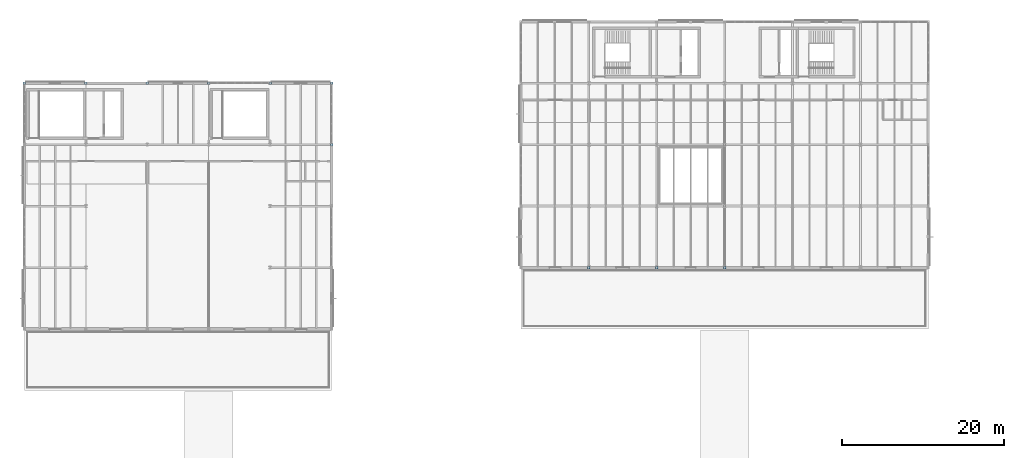
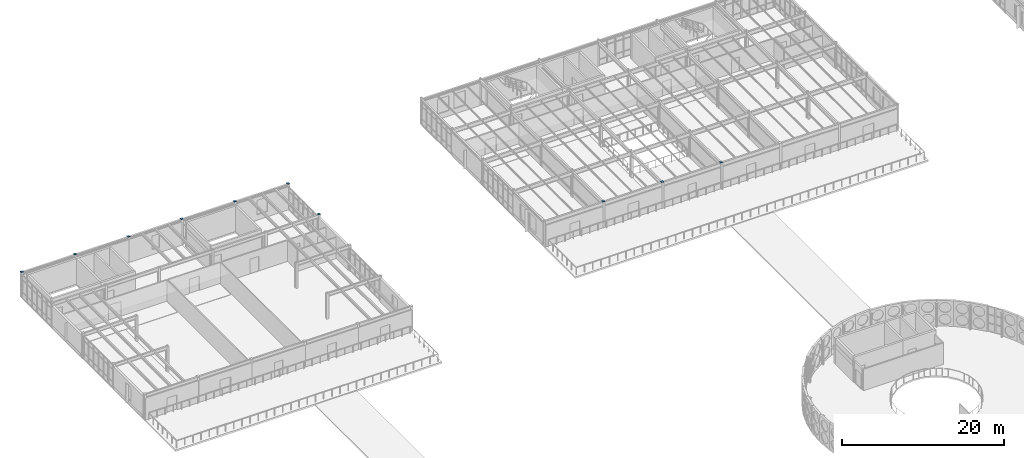
# One storey, part 81 of 114: 10 plates.
"""IFC4 building model written with IfcOpenShell, lengths in metres."""

from ifc_helpers import new_model, si_unit, direction, frame, origin, origin_2d, place, context, subcontext, project, spatial, rectangle, extrude, material, layer, layer_set, type_object, element, save


model = new_model("IFC4")

# Units and contexts
model_context = context("Model", 3, precision=1e-05, world=origin(), true_north=direction((0.0, 1.0)))
body_context = subcontext(model_context, "Body", "Model", "MODEL_VIEW")
ifc_project = project(units=[si_unit("LENGTHUNIT", "METRE"), si_unit("AREAUNIT", "SQUARE_METRE"), si_unit("VOLUMEUNIT", "CUBIC_METRE"), si_unit("PLANEANGLEUNIT", "RADIAN"), si_unit("MASSUNIT", "GRAM", prefix="KILO")], contexts=[model_context])

# Site, building, storey
site_placement = place(None, origin())
site = spatial("IfcSite", under=ifc_project, at=site_placement, CompositionType="ELEMENT")
building_placement = place(site_placement, origin())
building = spatial("IfcBuilding", under=site, at=building_placement, Name="Montecoro Central Library", CompositionType="ELEMENT")
storey_placement = place(building_placement, frame((0.0, 0.0, 13.260009765625)))
storey = spatial("IfcBuildingStorey", under=building, at=storey_placement, Name="L03", CompositionType="ELEMENT", Elevation=13.260009765625)

# Plates
ifc_material = material(Name="Steel S355", Category="steel")
ifc_layer = layer(ifc_material, 0.01611328125)
ifc_layer_set = layer_set([ifc_layer], Name="Steel S355")
plate_type = type_object("IfcPlateType", Name="PLT-CAP-16", PredefinedType="SHEET", material=ifc_layer_set)
for number, where, z_axis, x_axis, name in (
    (1, (74.800048828125, 88.60009765625, 3.885009765625), (0.0, 0.0, 1.0), (1.0, 0.0, 0.0), "V2-L03-CAPPL-10-M"),
    (2, (83.199951171875, 88.60009765625, 3.885009765625), (0.0, 0.0, 1.0), (1.0, 0.0, 0.0), "V2-L03-CAPPL-11-M"),
    (3, (91.60009765625, 88.60009765625, 3.885009765625), (0.0, 0.0, 1.0), (1.0, 0.0, 0.0), "V2-L03-CAPPL-12-M"),
    (4, (5.0, 111.39990234375, 3.869873046875), (0.0, 0.0, 1.0), (1.0, 0.0, 0.0), "V4-L03-CAPPL-1-Q"),
    (5, (12.60009765625, 111.39990234375, 3.869873046875), (0.0, 0.0, 1.0), (1.0, 0.0, 0.0), "V4-L03-CAPPL-2-Q"),
    (6, (20.199951171875, 111.39990234375, 3.869873046875), (0.0, 0.0, 1.0), (1.0, 0.0, 0.0), "V4-L03-CAPPL-3-Q"),
    (7, (27.800048828125, 111.39990234375, 3.869873046875), (0.0, 0.0, 1.0), (1.0, 0.0, 0.0), "V4-L03-CAPPL-4-Q"),
    (8, (35.39990234375, 111.39990234375, 3.869873046875), (0.0, 0.0, 1.0), (1.0, 0.0, 0.0), "V4-L03-CAPPL-5-Q"),
    (9, (43.0, 103.800048828125, 3.869873046875), (0.0, 0.0, 1.0), (1.0, 0.0, 0.0), "V4-L03-CAPPL-6-P"),
    (10, (43.0, 111.39990234375, 3.869873046875), (0.0, 0.0, 1.0), (1.0, 0.0, 0.0), "V4-L03-CAPPL-6-Q"),
):
    element("IfcPlate", number, at=place(storey_placement, frame(where, z_axis=z_axis, x_axis=x_axis)), inside=storey, type_object=plate_type, Name=name, PredefinedType="SHEET", context=body_context, shape_type="SweptSolid", body=[
        extrude(rectangle(XDim=0.320068359375, YDim=0.320068359375, at=origin_2d()), origin(), (0.0, 0.0, 1.0), 0.01611328125),
    ])

save(model, "model.ifc")
